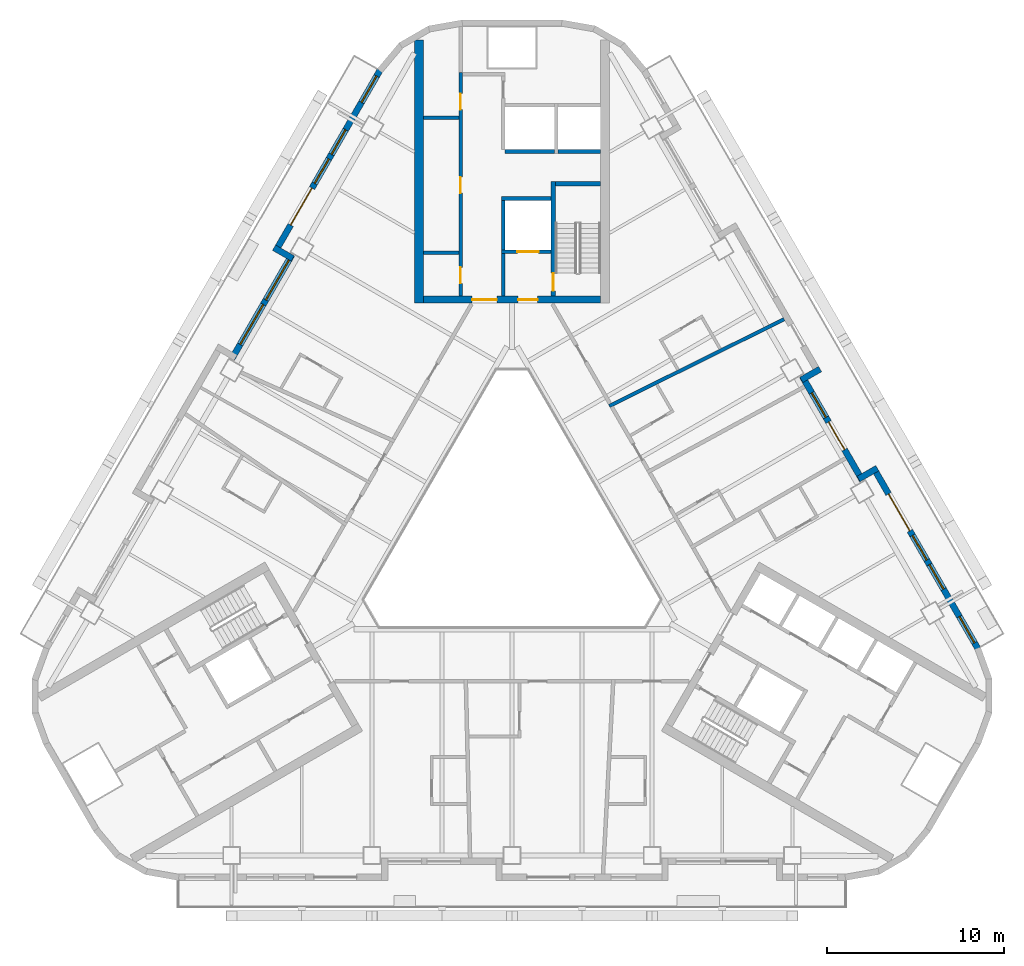
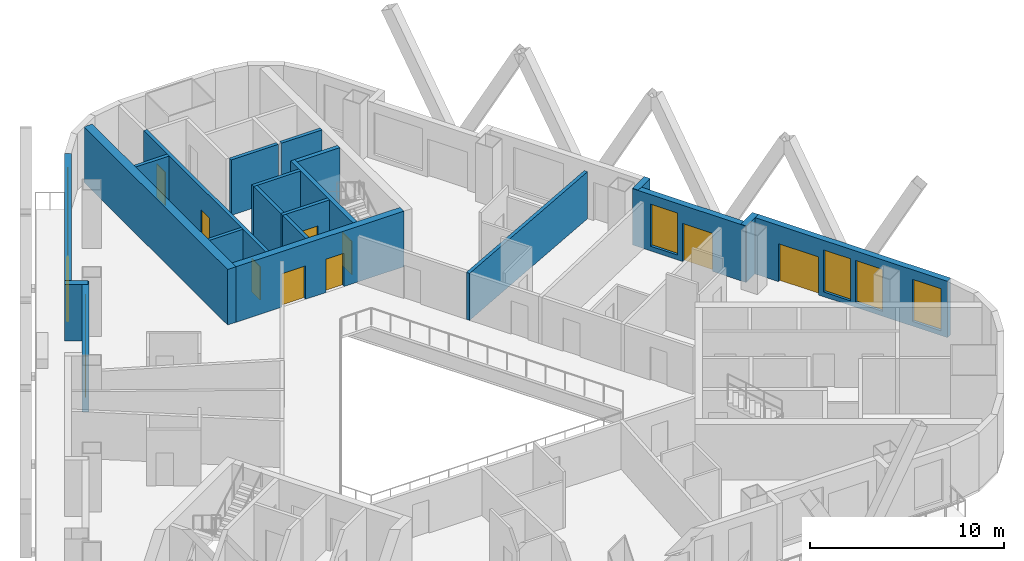
# One storey, part 6 of 13: 21 walls, 10 doors, 9 windows, 19 openings.
"""IFC4 building model written with IfcOpenShell, lengths in metres."""

from ifc_helpers import new_model, si_unit, direction, frame, frame_2d, origin, place, context, subcontext, project, spatial, rectangle, extrude, material, layer, layer_set, type_object, element, fill, save


model = new_model("IFC4")

# Units and contexts
model_context = context("Model", 3, precision=1e-05, world=origin(), true_north=direction((0.0, 1.0)))
body_context = subcontext(model_context, "Body", "Model", "MODEL_VIEW")
ifc_project = project(units=[si_unit("LENGTHUNIT", "METRE"), si_unit("AREAUNIT", "SQUARE_METRE"), si_unit("VOLUMEUNIT", "CUBIC_METRE"), si_unit("PLANEANGLEUNIT", "RADIAN"), si_unit("MASSUNIT", "GRAM", prefix="KILO")], contexts=[model_context])

# Site, building, storey
site_placement = place(None, origin())
site = spatial("IfcSite", under=ifc_project, at=site_placement, CompositionType="ELEMENT")
building_placement = place(site_placement, origin())
building = spatial("IfcBuilding", under=site, at=building_placement, Name="Apuvela Tower Hotel", CompositionType="ELEMENT")
storey_placement = place(building_placement, frame((0.0, 0.0, 83.5)))
storey = spatial("IfcBuildingStorey", under=building, at=storey_placement, Name="L18", CompositionType="ELEMENT", Elevation=83.5)

# Wall, openings, doors
ifc_material_1 = material(Name="Concrete C50/60", Category="concrete")
ifc_layer_1 = layer(ifc_material_1, 0.39990234375)
ifc_layer_set_1 = layer_set([ifc_layer_1], Name="COR-WALL-CORE-400")
wall_type_1 = type_object("IfcWallType", Name="COR-WALL-CORE-400", PredefinedType="SHEAR", material=ifc_layer_set_1)
wall_1_placement = place(storey_placement, frame((5.0, 13.10009765625, 0.0), z_axis=(0.0, 0.0, 1.0), x_axis=(-1.0, 0.0, 0.0)))
wall_1 = element("IfcWall", 1, at=wall_1_placement, inside=storey, type_object=wall_type_1, Name="Core wall N", PredefinedType="SHEAR", context=body_context, shape_type="SweptSolid", body=[
    extrude(rectangle(XDim=10.0, YDim=0.39990234375, at=frame_2d((5.0, 0.0))), origin(), (0.0, 0.0, 1.0), 3.5),
])
opening_1_placement = place(wall_1_placement, frame((3.550048828125, 0.0, 0.0)))
opening_1 = element("IfcOpeningElement", 2, at=opening_1_placement, cuts=wall_1, Name="Opening N-FD", PredefinedType="OPENING", context=body_context, shape_type="SweptSolid", body=[
    extrude(rectangle(XDim=1.10009765625, YDim=2.10009765625, at=frame_2d((0.550048828125, 1.050048828125))), frame((0.0, 0.2099609375, 0.0), z_axis=(0.0, -1.0, 0.0), x_axis=(1.0, 0.0, 0.0)), (0.0, 0.0, 1.0), 0.419921875),
])
opening_2_placement = place(wall_1_placement, frame((5.85009765625, 0.0, 0.0)))
opening_2 = element("IfcOpeningElement", 3, at=opening_2_placement, cuts=wall_1, Name="Opening N-GD", PredefinedType="OPENING", context=body_context, shape_type="SweptSolid", body=[
    extrude(rectangle(XDim=1.39990234375, YDim=2.10009765625, at=frame_2d((0.699951171875, 1.050048828125))), frame((0.0, 0.2099609375, 0.0), z_axis=(0.0, -1.0, 0.0), x_axis=(1.0, 0.0, 0.0)), (0.0, 0.0, 1.0), 0.419921875),
])
ifc_material_2 = material(Name="Steel fire door, powder coated", Category="steel")
door_type_1 = type_object("IfcDoorType", Name="COR-FD-1100", OperationType="NOTDEFINED", PredefinedType="DOOR", material=ifc_material_2)
door_1_placement = place(opening_1_placement, frame((1.10009765625, 0.0, 0.0), z_axis=(0.0, 0.0, 1.0), x_axis=(-1.0, 0.0, 0.0)))
door_1 = element("IfcDoor", 4, at=door_1_placement, inside=storey, type_object=door_type_1, Name="Firefighting lobby door N-FD", OperationType="SINGLE_SWING_LEFT", OverallHeight=2.10009765625, OverallWidth=1.10009765625, PredefinedType="DOOR", context=body_context, shape_type="SweptSolid", body=[
    extrude(rectangle(XDim=1.10009765625, YDim=2.10009765625, at=frame_2d((0.550048828125, 1.050048828125))), frame((0.0, 0.02490234375, 0.0), z_axis=(0.0, -1.0, 0.0), x_axis=(1.0, 0.0, 0.0)), (0.0, 0.0, 1.0), 0.050048828125),
])
fill(opening_1, door_1)
ifc_material_3 = material(Name="Glazed steel fire door", Category="steel")
door_type_2 = type_object("IfcDoorType", Name="COR-GD-1400", OperationType="DOUBLE_DOOR_SINGLE_SWING", PredefinedType="DOOR", material=ifc_material_3)
door_2_placement = place(opening_2_placement, frame((1.39990234375, 0.0, 0.0), z_axis=(0.0, 0.0, 1.0), x_axis=(-1.0, 0.0, 0.0)))
door_2 = element("IfcDoor", 5, at=door_2_placement, inside=storey, type_object=door_type_2, Name="Lift lobby door N-GD", OperationType="DOUBLE_DOOR_SINGLE_SWING", OverallHeight=2.10009765625, OverallWidth=1.39990234375, PredefinedType="DOOR", context=body_context, shape_type="SweptSolid", body=[
    extrude(rectangle(XDim=1.39990234375, YDim=2.10009765625, at=frame_2d((0.699951171875, 1.050048828125))), frame((0.0, 0.02490234375, 0.0), z_axis=(0.0, -1.0, 0.0), x_axis=(1.0, 0.0, 0.0)), (0.0, 0.0, 1.0), 0.050048828125),
])
fill(opening_2, door_2)

# Walls
ifc_layer_2 = layer(ifc_material_1, 0.5)
ifc_layer_set_2 = layer_set([ifc_layer_2], Name="COR-WALL-CORE-500")
wall_type_2 = type_object("IfcWallType", Name="COR-WALL-CORE-500", PredefinedType="SHEAR", material=ifc_layer_set_2)
wall_2_placement = place(storey_placement, frame((-5.25, 12.89990234375, 0.0), z_axis=(0.0, 0.0, 1.0), x_axis=(0.0, 1.0, 0.0)))
element("IfcWall", 6, at=wall_2_placement, inside=storey, type_object=wall_type_2, Name="Core wall N", PredefinedType="SHEAR", context=body_context, shape_type="SweptSolid", body=[
    extrude(rectangle(XDim=14.8369140625, YDim=0.5, at=frame_2d((7.41845703125, 0.0))), origin(), (0.0, 0.0, 1.0), 3.5),
])
ifc_material_4 = material(Name="Blockwork 200 mm plastered", Category="masonry")
ifc_layer_3 = layer(ifc_material_4, 0.199951171875)
ifc_layer_set_3 = layer_set([ifc_layer_3], Name="COR-WALL-PART-200")
wall_type_3 = type_object("IfcWallType", Name="COR-WALL-PART-200", PredefinedType="PARTITIONING", material=ifc_layer_set_3)
wall_3_placement = place(storey_placement, frame((5.0, 21.449951171875, 0.0), z_axis=(0.0, 0.0, 1.0), x_axis=(-1.0, 0.0, 0.0)))
element("IfcWall", 7, at=wall_3_placement, inside=storey, type_object=wall_type_3, Name="Partition N", PredefinedType="PARTITIONING", context=body_context, shape_type="SweptSolid", body=[
    extrude(rectangle(XDim=2.39990234375, YDim=0.199951171875, at=frame_2d((1.199951171875, 0.0))), origin(), (0.0, 0.0, 1.0), 3.5),
])
wall_4_placement = place(storey_placement, frame((2.39990234375, 21.449951171875, 0.0), z_axis=(0.0, 0.0, 1.0), x_axis=(-1.0, 0.0, 0.0)))
element("IfcWall", 8, at=wall_4_placement, inside=storey, type_object=wall_type_3, Name="Partition N", PredefinedType="PARTITIONING", context=body_context, shape_type="SweptSolid", body=[
    extrude(rectangle(XDim=2.7998046875, YDim=0.199951171875, at=frame_2d((1.39990234375, 0.0))), origin(), (0.0, 0.0, 1.0), 3.5),
])
ifc_layer_4 = layer(ifc_material_1, 0.199951171875)
ifc_layer_set_4 = layer_set([ifc_layer_4], Name="COR-WALL-SHAFT-200")
wall_type_4 = type_object("IfcWallType", Name="COR-WALL-SHAFT-200", PredefinedType="SHEAR", material=ifc_layer_set_4)
wall_5_placement = place(storey_placement, frame((2.199951171875, 18.800048828125, 0.0), z_axis=(0.0, 0.0, 1.0), x_axis=(-1.0, 0.0, 0.0)))
element("IfcWall", 9, at=wall_5_placement, inside=storey, type_object=wall_type_4, Name="Shaft wall N", PredefinedType="SHEAR", context=body_context, shape_type="SweptSolid", body=[
    extrude(rectangle(XDim=2.800048828125, YDim=0.199951171875, at=frame_2d((1.39990234375, 0.0))), origin(), (0.0, 0.0, 1.0), 3.5),
])

# Wall, opening, door
wall_6_placement = place(storey_placement, frame((2.199951171875, 15.800048828125, 0.0), z_axis=(0.0, 0.0, 1.0), x_axis=(-1.0, 0.0, 0.0)))
wall_6 = element("IfcWall", 10, at=wall_6_placement, inside=storey, type_object=wall_type_4, Name="Shaft wall N", PredefinedType="SHEAR", context=body_context, shape_type="SweptSolid", body=[
    extrude(rectangle(XDim=2.800048828125, YDim=0.199951171875, at=frame_2d((1.39990234375, 0.0))), origin(), (0.0, 0.0, 1.0), 3.5),
])
opening_3_placement = place(wall_6_placement, frame((0.699951171875, 0.0, 0.0)))
opening_3 = element("IfcOpeningElement", 11, at=opening_3_placement, cuts=wall_6, Name="Opening N-LD-FS1", PredefinedType="OPENING", context=body_context, shape_type="SweptSolid", body=[
    extrude(rectangle(XDim=1.199951171875, YDim=2.10009765625, at=frame_2d((0.60009765625, 1.050048828125))), frame((0.0, 0.10986328125, 0.0), z_axis=(0.0, -1.0, 0.0), x_axis=(1.0, 0.0, 0.0)), (0.0, 0.0, 1.0), 0.219970703125),
])
ifc_material_5 = material(Name="Stainless steel lift landing door", Category="steel")
door_type_3 = type_object("IfcDoorType", Name="COR-LD-1200", OperationType="DOUBLE_DOOR_SLIDING", PredefinedType="DOOR", material=ifc_material_5)
door_3_placement = place(opening_3_placement, origin())
door_3 = element("IfcDoor", 12, at=door_3_placement, inside=storey, type_object=door_type_3, Name="Lift landing door N-LD-FS1", OperationType="DOUBLE_DOOR_SLIDING", OverallHeight=2.10009765625, OverallWidth=1.199951171875, PredefinedType="DOOR", context=body_context, shape_type="SweptSolid", body=[
    extrude(rectangle(XDim=1.199951171875, YDim=2.10009765625, at=frame_2d((0.60009765625, 1.050048828125))), frame((0.0, 0.02490234375, 0.0), z_axis=(0.0, -1.0, 0.0), x_axis=(1.0, 0.0, 0.0)), (0.0, 0.0, 1.0), 0.050048828125),
])
fill(opening_3, door_3)

# Walls
wall_7_placement = place(storey_placement, frame((-0.5, 15.89990234375, 0.0), z_axis=(0.0, 0.0, 1.0), x_axis=(0.0, 1.0, 0.0)))
element("IfcWall", 13, at=wall_7_placement, inside=storey, type_object=wall_type_4, Name="Shaft wall N", PredefinedType="SHEAR", context=body_context, shape_type="SweptSolid", body=[
    extrude(rectangle(XDim=2.800048828125, YDim=0.199951171875, at=frame_2d((1.39990234375, 0.0))), origin(), (0.0, 0.0, 1.0), 3.5),
])
wall_8_placement = place(storey_placement, frame((-0.5, 13.300048828125, 0.0), z_axis=(0.0, 0.0, 1.0), x_axis=(0.0, 1.0, 0.0)))
element("IfcWall", 14, at=wall_8_placement, inside=storey, type_object=wall_type_4, Name="Shaft wall N", PredefinedType="SHEAR", context=body_context, shape_type="SweptSolid", body=[
    extrude(rectangle(XDim=2.39990234375, YDim=0.199951171875, at=frame_2d((1.199951171875, 0.0))), origin(), (0.0, 0.0, 1.0), 3.5),
])

# Wall, openings, doors
wall_9_placement = place(storey_placement, frame((-2.89990234375, 13.300048828125, 0.0), z_axis=(0.0, 0.0, 1.0), x_axis=(0.0, 1.0, 0.0)))
wall_9 = element("IfcWall", 15, at=wall_9_placement, inside=storey, type_object=wall_type_4, Name="Shaft wall N", PredefinedType="SHEAR", context=body_context, shape_type="SweptSolid", body=[
    extrude(rectangle(XDim=12.599853515625, YDim=0.199951171875, at=frame_2d((6.2998046875, 0.0))), origin(), (0.0, 0.0, 1.0), 3.5),
])
opening_4_placement = place(wall_9_placement, frame((0.719970703125, 0.0, 0.0)))
opening_4 = element("IfcOpeningElement", 16, at=opening_4_placement, cuts=wall_9, Name="Opening N-RE1", PredefinedType="OPENING", context=body_context, shape_type="SweptSolid", body=[
    extrude(rectangle(XDim=0.89990234375, YDim=2.10009765625, at=frame_2d((0.449951171875, 1.050048828125))), frame((0.0, 0.10986328125, 0.0), z_axis=(0.0, -1.0, 0.0), x_axis=(1.0, 0.0, 0.0)), (0.0, 0.0, 1.0), 0.219970703125),
])
opening_5_placement = place(wall_9_placement, frame((5.800048828125, 0.0, 0.0)))
opening_5 = element("IfcOpeningElement", 17, at=opening_5_placement, cuts=wall_9, Name="Opening N-RE2", PredefinedType="OPENING", context=body_context, shape_type="SweptSolid", body=[
    extrude(rectangle(XDim=0.89990234375, YDim=2.10009765625, at=frame_2d((0.449951171875, 1.050048828125))), frame((0.0, 0.10986328125, 0.0), z_axis=(0.0, -1.0, 0.0), x_axis=(1.0, 0.0, 0.0)), (0.0, 0.0, 1.0), 0.219970703125),
])
opening_6_placement = place(wall_9_placement, frame((10.510009765625, 0.0, 0.0)))
opening_6 = element("IfcOpeningElement", 18, at=opening_6_placement, cuts=wall_9, Name="Opening N-REP", PredefinedType="OPENING", context=body_context, shape_type="SweptSolid", body=[
    extrude(rectangle(XDim=0.89990234375, YDim=2.10009765625, at=frame_2d((0.449951171875, 1.050048828125))), frame((0.0, 0.10986328125, 0.0), z_axis=(0.0, -1.0, 0.0), x_axis=(1.0, 0.0, 0.0)), (0.0, 0.0, 1.0), 0.219970703125),
])
door_type_4 = type_object("IfcDoorType", Name="COR-DR-900", OperationType="NOTDEFINED", PredefinedType="DOOR", material=ifc_material_2)
door_4_placement = place(opening_4_placement, origin())
door_4 = element("IfcDoor", 19, at=door_4_placement, inside=storey, type_object=door_type_4, Name="Store door N-RE1", OperationType="SINGLE_SWING_LEFT", OverallHeight=2.10009765625, OverallWidth=0.89990234375, PredefinedType="DOOR", context=body_context, shape_type="SweptSolid", body=[
    extrude(rectangle(XDim=0.89990234375, YDim=2.10009765625, at=frame_2d((0.449951171875, 1.050048828125))), frame((0.0, 0.02490234375, 0.0), z_axis=(0.0, -1.0, 0.0), x_axis=(1.0, 0.0, 0.0)), (0.0, 0.0, 1.0), 0.050048828125),
])
fill(opening_4, door_4)
door_5_placement = place(opening_5_placement, origin())
door_5 = element("IfcDoor", 20, at=door_5_placement, inside=storey, type_object=door_type_4, Name="Store door N-RE2", OperationType="SINGLE_SWING_RIGHT", OverallHeight=2.10009765625, OverallWidth=0.89990234375, PredefinedType="DOOR", context=body_context, shape_type="SweptSolid", body=[
    extrude(rectangle(XDim=0.89990234375, YDim=2.10009765625, at=frame_2d((0.449951171875, 1.050048828125))), frame((0.0, 0.02490234375, 0.0), z_axis=(0.0, -1.0, 0.0), x_axis=(1.0, 0.0, 0.0)), (0.0, 0.0, 1.0), 0.050048828125),
])
fill(opening_5, door_5)
door_6_placement = place(opening_6_placement, origin())
door_6 = element("IfcDoor", 21, at=door_6_placement, inside=storey, type_object=door_type_4, Name="Store door N-REP", OperationType="SINGLE_SWING_RIGHT", OverallHeight=2.10009765625, OverallWidth=0.89990234375, PredefinedType="DOOR", context=body_context, shape_type="SweptSolid", body=[
    extrude(rectangle(XDim=0.89990234375, YDim=2.10009765625, at=frame_2d((0.449951171875, 1.050048828125))), frame((0.0, 0.02490234375, 0.0), z_axis=(0.0, -1.0, 0.0), x_axis=(1.0, 0.0, 0.0)), (0.0, 0.0, 1.0), 0.050048828125),
])
fill(opening_6, door_6)

# Walls
for number, where, z_axis, x_axis, name in (
    (22, (-3.0, 15.739990234375, 0.0), (0.0, 0.0, 1.0), (-1.0, 0.0, 0.0), "Shaft wall N"),
    (23, (-3.0, 23.360107421875, 0.0), (0.0, 0.0, 1.0), (-1.0, 0.0, 0.0), "Shaft wall N"),
):
    element("IfcWall", number, at=place(storey_placement, frame(where, z_axis=z_axis, x_axis=x_axis)), inside=storey, type_object=wall_type_4, Name=name, PredefinedType="SHEAR", context=body_context, shape_type="SweptSolid", body=[
        extrude(rectangle(XDim=2.0, YDim=0.199951171875, at=frame_2d((1.0, 0.0))), origin(), (0.0, 0.0, 1.0), 3.5),
    ])

# Wall, opening, door
ifc_layer_5 = layer(ifc_material_1, 0.25)
ifc_layer_set_5 = layer_set([ifc_layer_5], Name="COR-WALL-STAIR-250")
wall_type_5 = type_object("IfcWallType", Name="COR-WALL-STAIR-250", PredefinedType="SHEAR", material=ifc_layer_set_5)
wall_10_placement = place(storey_placement, frame((2.324951171875, 13.300048828125, 0.0), z_axis=(0.0, 0.0, 1.0), x_axis=(0.0, 1.0, 0.0)))
wall_10 = element("IfcWall", 24, at=wall_10_placement, inside=storey, type_object=wall_type_5, Name="Stair wall N", PredefinedType="SHEAR", context=body_context, shape_type="SweptSolid", body=[
    extrude(rectangle(XDim=6.449951171875, YDim=0.25, at=frame_2d((3.22509765625, 0.0))), origin(), (0.0, 0.0, 1.0), 3.5),
])
opening_7_placement = place(wall_10_placement, frame((0.300048828125, 0.0, 0.0)))
opening_7 = element("IfcOpeningElement", 25, at=opening_7_placement, cuts=wall_10, Name="Opening N-SD", PredefinedType="OPENING", context=body_context, shape_type="SweptSolid", body=[
    extrude(rectangle(XDim=1.0, YDim=2.10009765625, at=frame_2d((0.5, 1.050048828125))), frame((0.0, 0.135009765625, 0.0), z_axis=(0.0, -1.0, 0.0), x_axis=(1.0, 0.0, 0.0)), (0.0, 0.0, 1.0), 0.27001953125),
])
door_type_5 = type_object("IfcDoorType", Name="COR-SD-1000", OperationType="NOTDEFINED", PredefinedType="DOOR", material=ifc_material_2)
door_7_placement = place(opening_7_placement, frame((1.0, 0.0, 0.0), z_axis=(0.0, 0.0, 1.0), x_axis=(-1.0, 0.0, 0.0)))
door_7 = element("IfcDoor", 26, at=door_7_placement, inside=storey, type_object=door_type_5, Name="Stair door N-SD", OperationType="SINGLE_SWING_LEFT", OverallHeight=2.10009765625, OverallWidth=1.0, PredefinedType="DOOR", context=body_context, shape_type="SweptSolid", body=[
    extrude(rectangle(XDim=1.0, YDim=2.10009765625, at=frame_2d((0.5, 1.050048828125))), frame((0.0, 0.02490234375, 0.0), z_axis=(0.0, -1.0, 0.0), x_axis=(1.0, 0.0, 0.0)), (0.0, 0.0, 1.0), 0.050048828125),
])
fill(opening_7, door_7)

# Wall
wall_11_placement = place(storey_placement, frame((5.0, 19.625, 0.0), z_axis=(0.0, 0.0, 1.0), x_axis=(-1.0, 0.0, 0.0)))
element("IfcWall", 27, at=wall_11_placement, inside=storey, type_object=wall_type_5, Name="Stair wall N", PredefinedType="SHEAR", context=body_context, shape_type="SweptSolid", body=[
    extrude(rectangle(XDim=2.550048828125, YDim=0.25, at=frame_2d((1.27490234375, 0.0))), origin(), (0.0, 0.0, 1.0), 3.5),
])

# Wall, openings, door, windows
ifc_material_6 = material(Name="Concrete C40/50, dark pigmented precast panel", Category="concrete")
ifc_layer_6 = layer(ifc_material_6, 0.35009765625)
ifc_layer_set_6 = layer_set([ifc_layer_6], Name="ENV-WALL-350")
wall_type_6 = type_object("IfcWallType", Name="ENV-WALL-350", PredefinedType="SOLIDWALL", material=ifc_layer_set_6)
wall_12_placement = place(storey_placement, frame((-7.440673828125, 26.0224609375, 0.0), z_axis=(0.0, 0.0, 1.0), x_axis=(-0.499992533062, -0.86602971478, 0.0)))
wall_12 = element("IfcWall", 28, at=wall_12_placement, inside=storey, type_object=wall_type_6, Name="External wall L18-01", PredefinedType="SOLIDWALL", context=body_context, shape_type="SweptSolid", body=[
    extrude(rectangle(XDim=11.815673828125, YDim=0.35009765625, at=frame_2d((5.90771484375, 0.0))), origin(), (0.0, 0.0, 1.0), 3.550048828125),
])
opening_8_placement = place(wall_12_placement, frame((0.381103515625, 0.0, 0.300048828125)))
opening_8 = element("IfcOpeningElement", 29, at=opening_8_placement, cuts=wall_12, Name="Opening WN17", PredefinedType="OPENING", context=body_context, shape_type="SweptSolid", body=[
    extrude(rectangle(XDim=1.699951171875, YDim=2.64990234375, at=frame_2d((0.85009765625, 1.324951171875))), frame((0.0, 0.18505859375, 0.0), z_axis=(0.0, -1.0, 0.0), x_axis=(1.0, 0.0, 0.0)), (0.0, 0.0, 1.0), 0.3701171875),
])
opening_9_placement = place(wall_12_placement, frame((7.66552734375, 0.0, 0.0)))
opening_9 = element("IfcOpeningElement", 30, at=opening_9_placement, cuts=wall_12, Name="Opening BD24", PredefinedType="OPENING", context=body_context, shape_type="SweptSolid", body=[
    extrude(rectangle(XDim=2.39990234375, YDim=2.39990234375, at=frame_2d((1.199951171875, 1.199951171875))), frame((0.0, 0.18505859375, 0.0), z_axis=(0.0, -1.0, 0.0), x_axis=(1.0, 0.0, 0.0)), (0.0, 0.0, 1.0), 0.3701171875),
])
opening_10_placement = place(wall_12_placement, frame((3.865478515625, 0.0, 0.300048828125)))
opening_10 = element("IfcOpeningElement", 31, at=opening_10_placement, cuts=wall_12, Name="Opening WN16", PredefinedType="OPENING", context=body_context, shape_type="SweptSolid", body=[
    extrude(rectangle(XDim=1.60009765625, YDim=2.64990234375, at=frame_2d((0.800048828125, 1.324951171875))), frame((0.0, 0.18505859375, 0.0), z_axis=(0.0, -1.0, 0.0), x_axis=(1.0, 0.0, 0.0)), (0.0, 0.0, 1.0), 0.3701171875),
])
opening_11_placement = place(wall_12_placement, frame((5.765380859375, 0.0, 0.300048828125)))
opening_11 = element("IfcOpeningElement", 32, at=opening_11_placement, cuts=wall_12, Name="Opening WN16", PredefinedType="OPENING", context=body_context, shape_type="SweptSolid", body=[
    extrude(rectangle(XDim=1.60009765625, YDim=2.64990234375, at=frame_2d((0.800048828125, 1.324951171875))), frame((0.0, 0.18505859375, 0.0), z_axis=(0.0, -1.0, 0.0), x_axis=(1.0, 0.0, 0.0)), (0.0, 0.0, 1.0), 0.3701171875),
])
ifc_material_7 = material(Name="Aluminium 6063-T6, dark bronze anodised frame with dark tinted laminated glass", Category="aluminium")
door_type_6 = type_object("IfcDoorType", Name="ENV-DOOR-BALCONY-2400x2400", OperationType="SLIDING_TO_LEFT", PredefinedType="DOOR", material=ifc_material_7)
door_8_placement = place(opening_9_placement, frame((2.39990234375, 0.0, 0.0), z_axis=(0.0, 0.0, 1.0), x_axis=(-1.0, 0.0, 0.0)))
door_8 = element("IfcDoor", 33, at=door_8_placement, inside=storey, type_object=door_type_6, Name="Balcony door BD24", OperationType="SLIDING_TO_LEFT", OverallHeight=2.39990234375, OverallWidth=2.39990234375, PredefinedType="DOOR", context=body_context, shape_type="SweptSolid", body=[
    extrude(rectangle(XDim=2.39990234375, YDim=2.39990234375, at=frame_2d((1.199951171875, 1.199951171875))), frame((0.0, 0.02490234375, 0.0), z_axis=(0.0, -1.0, 0.0), x_axis=(1.0, 0.0, 0.0)), (0.0, 0.0, 1.0), 0.050048828125),
])
fill(opening_9, door_8)
ifc_material_8 = material(Name="Glass, dark tinted laminated insulated glazing unit", Category="glass")
window_type_1 = type_object("IfcWindowType", Name="ENV-WIN-1600x2650", PartitioningType="SINGLE_PANEL", PredefinedType="WINDOW", material=ifc_material_8)
window_1_placement = place(opening_10_placement, origin())
window_1 = element("IfcWindow", 34, at=window_1_placement, inside=storey, type_object=window_type_1, Name="Window WN16", OverallHeight=2.64990234375, OverallWidth=1.60009765625, PartitioningType="SINGLE_PANEL", PredefinedType="WINDOW", context=body_context, shape_type="SweptSolid", body=[
    extrude(rectangle(XDim=1.60009765625, YDim=2.64990234375, at=frame_2d((0.800048828125, 1.324951171875))), frame((0.0, 0.030029296875, 0.0), z_axis=(0.0, -1.0, 0.0), x_axis=(1.0, 0.0, 0.0)), (0.0, 0.0, 1.0), 0.06005859375),
])
fill(opening_10, window_1)
window_2_placement = place(opening_11_placement, origin())
window_2 = element("IfcWindow", 35, at=window_2_placement, inside=storey, type_object=window_type_1, Name="Window WN16", OverallHeight=2.64990234375, OverallWidth=1.60009765625, PartitioningType="SINGLE_PANEL", PredefinedType="WINDOW", context=body_context, shape_type="SweptSolid", body=[
    extrude(rectangle(XDim=1.60009765625, YDim=2.64990234375, at=frame_2d((0.800048828125, 1.324951171875))), frame((0.0, 0.030029296875, 0.0), z_axis=(0.0, -1.0, 0.0), x_axis=(1.0, 0.0, 0.0)), (0.0, 0.0, 1.0), 0.06005859375),
])
fill(opening_11, window_2)
window_type_2 = type_object("IfcWindowType", Name="ENV-WIN-1700x2650", PartitioningType="SINGLE_PANEL", PredefinedType="WINDOW", material=ifc_material_8)
window_3_placement = place(opening_8_placement, origin())
window_3 = element("IfcWindow", 36, at=window_3_placement, inside=storey, type_object=window_type_2, Name="Window WN17", OverallHeight=2.64990234375, OverallWidth=1.699951171875, PartitioningType="SINGLE_PANEL", PredefinedType="WINDOW", context=body_context, shape_type="SweptSolid", body=[
    extrude(rectangle(XDim=1.699951171875, YDim=2.64990234375, at=frame_2d((0.85009765625, 1.324951171875))), frame((0.0, 0.030029296875, 0.0), z_axis=(0.0, -1.0, 0.0), x_axis=(1.0, 0.0, 0.0)), (0.0, 0.0, 1.0), 0.06005859375),
])
fill(opening_8, window_3)

# Wall
wall_13_placement = place(storey_placement, frame((-13.41259765625, 16.02880859375, 0.0), z_axis=(0.0, 0.0, 1.0), x_axis=(0.866005645448, -0.500034220881, 0.0)))
element("IfcWall", 37, at=wall_13_placement, inside=storey, type_object=wall_type_6, Name="External wall L18-02", PredefinedType="SOLIDWALL", context=body_context, shape_type="SweptSolid", body=[
    extrude(rectangle(XDim=1.22021484375, YDim=0.35009765625, at=frame_2d((0.610107421875, 0.0))), origin(), (0.0, 0.0, 1.0), 3.550048828125),
])

# Wall, openings, windows
wall_14_placement = place(storey_placement, frame((-12.408935546875, 15.616943359375, 0.0), z_axis=(0.0, 0.0, 1.0), x_axis=(-0.500003597184, -0.866023326939, 0.0)))
wall_14 = element("IfcWall", 38, at=wall_14_placement, inside=storey, type_object=wall_type_6, Name="External wall L18-03", PredefinedType="SOLIDWALL", context=body_context, shape_type="SweptSolid", body=[
    extrude(rectangle(XDim=6.740234375, YDim=0.35009765625, at=frame_2d((3.3701171875, 0.0))), origin(), (0.0, 0.0, 1.0), 3.550048828125),
])
opening_12_placement = place(wall_14_placement, frame((0.3203125, 0.0, 0.300048828125)))
opening_12 = element("IfcOpeningElement", 39, at=opening_12_placement, cuts=wall_14, Name="Opening WN26", PredefinedType="OPENING", context=body_context, shape_type="SweptSolid", body=[
    extrude(rectangle(XDim=2.60009765625, YDim=2.64990234375, at=frame_2d((1.300048828125, 1.324951171875))), frame((0.0, 0.18505859375, 0.0), z_axis=(0.0, -1.0, 0.0), x_axis=(1.0, 0.0, 0.0)), (0.0, 0.0, 1.0), 0.3701171875),
])
opening_13_placement = place(wall_14_placement, frame((3.22021484375, 0.0, 0.300048828125)))
opening_13 = element("IfcOpeningElement", 40, at=opening_13_placement, cuts=wall_14, Name="Opening WN26", PredefinedType="OPENING", context=body_context, shape_type="SweptSolid", body=[
    extrude(rectangle(XDim=2.60009765625, YDim=2.64990234375, at=frame_2d((1.300048828125, 1.324951171875))), frame((0.0, 0.18505859375, 0.0), z_axis=(0.0, -1.0, 0.0), x_axis=(1.0, 0.0, 0.0)), (0.0, 0.0, 1.0), 0.3701171875),
])
window_type_3 = type_object("IfcWindowType", Name="ENV-WIN-2600x2650", PartitioningType="SINGLE_PANEL", PredefinedType="WINDOW", material=ifc_material_8)
window_4_placement = place(opening_12_placement, origin())
window_4 = element("IfcWindow", 41, at=window_4_placement, inside=storey, type_object=window_type_3, Name="Window WN26", OverallHeight=2.64990234375, OverallWidth=2.60009765625, PartitioningType="SINGLE_PANEL", PredefinedType="WINDOW", context=body_context, shape_type="SweptSolid", body=[
    extrude(rectangle(XDim=2.60009765625, YDim=2.64990234375, at=frame_2d((1.300048828125, 1.324951171875))), frame((0.0, 0.030029296875, 0.0), z_axis=(0.0, -1.0, 0.0), x_axis=(1.0, 0.0, 0.0)), (0.0, 0.0, 1.0), 0.06005859375),
])
fill(opening_12, window_4)
window_5_placement = place(opening_13_placement, origin())
window_5 = element("IfcWindow", 42, at=window_5_placement, inside=storey, type_object=window_type_3, Name="Window WN26", OverallHeight=2.64990234375, OverallWidth=2.60009765625, PartitioningType="SINGLE_PANEL", PredefinedType="WINDOW", context=body_context, shape_type="SweptSolid", body=[
    extrude(rectangle(XDim=2.60009765625, YDim=2.64990234375, at=frame_2d((1.300048828125, 1.324951171875))), frame((0.0, 0.030029296875, 0.0), z_axis=(0.0, -1.0, 0.0), x_axis=(1.0, 0.0, 0.0)), (0.0, 0.0, 1.0), 0.06005859375),
])
fill(opening_13, window_5)

# Wall, openings, door, windows
wall_15_placement = place(storey_placement, frame((26.256591796875, -6.5673828125, 0.0), z_axis=(0.0, 0.0, 1.0), x_axis=(-0.500023526245, 0.866011820475, 0.0)))
wall_15 = element("IfcWall", 43, at=wall_15_placement, inside=storey, type_object=wall_type_6, Name="External wall L18-33", PredefinedType="SOLIDWALL", context=body_context, shape_type="SweptSolid", body=[
    extrude(rectangle(XDim=11.81591796875, YDim=0.35009765625, at=frame_2d((5.907958984375, 0.0))), origin(), (0.0, 0.0, 1.0), 3.550048828125),
])
opening_14_placement = place(wall_15_placement, frame((0.380126953125, 0.0, 0.300048828125)))
opening_14 = element("IfcOpeningElement", 44, at=opening_14_placement, cuts=wall_15, Name="Opening WN17", PredefinedType="OPENING", context=body_context, shape_type="SweptSolid", body=[
    extrude(rectangle(XDim=1.699951171875, YDim=2.64990234375, at=frame_2d((0.85009765625, 1.324951171875))), frame((0.0, 0.18505859375, 0.0), z_axis=(0.0, -1.0, 0.0), x_axis=(1.0, 0.0, 0.0)), (0.0, 0.0, 1.0), 0.3701171875),
])
opening_15_placement = place(wall_15_placement, frame((7.666015625, 0.0, 0.0)))
opening_15 = element("IfcOpeningElement", 45, at=opening_15_placement, cuts=wall_15, Name="Opening BD24", PredefinedType="OPENING", context=body_context, shape_type="SweptSolid", body=[
    extrude(rectangle(XDim=2.39990234375, YDim=2.39990234375, at=frame_2d((1.199951171875, 1.199951171875))), frame((0.0, 0.18505859375, 0.0), z_axis=(0.0, -1.0, 0.0), x_axis=(1.0, 0.0, 0.0)), (0.0, 0.0, 1.0), 0.3701171875),
])
opening_16_placement = place(wall_15_placement, frame((3.865234375, 0.0, 0.300048828125)))
opening_16 = element("IfcOpeningElement", 46, at=opening_16_placement, cuts=wall_15, Name="Opening WN16", PredefinedType="OPENING", context=body_context, shape_type="SweptSolid", body=[
    extrude(rectangle(XDim=1.60009765625, YDim=2.64990234375, at=frame_2d((0.800048828125, 1.324951171875))), frame((0.0, 0.18505859375, 0.0), z_axis=(0.0, -1.0, 0.0), x_axis=(1.0, 0.0, 0.0)), (0.0, 0.0, 1.0), 0.3701171875),
])
opening_17_placement = place(wall_15_placement, frame((5.765380859375, 0.0, 0.300048828125)))
opening_17 = element("IfcOpeningElement", 47, at=opening_17_placement, cuts=wall_15, Name="Opening WN16", PredefinedType="OPENING", context=body_context, shape_type="SweptSolid", body=[
    extrude(rectangle(XDim=1.60009765625, YDim=2.64990234375, at=frame_2d((0.800048828125, 1.324951171875))), frame((0.0, 0.18505859375, 0.0), z_axis=(0.0, -1.0, 0.0), x_axis=(1.0, 0.0, 0.0)), (0.0, 0.0, 1.0), 0.3701171875),
])
door_9_placement = place(opening_15_placement, frame((2.39990234375, 0.0, 0.0), z_axis=(0.0, 0.0, 1.0), x_axis=(-1.0, 0.0, 0.0)))
door_9 = element("IfcDoor", 48, at=door_9_placement, inside=storey, type_object=door_type_6, Name="Balcony door BD24", OperationType="SLIDING_TO_LEFT", OverallHeight=2.39990234375, OverallWidth=2.39990234375, PredefinedType="DOOR", context=body_context, shape_type="SweptSolid", body=[
    extrude(rectangle(XDim=2.39990234375, YDim=2.39990234375, at=frame_2d((1.199951171875, 1.199951171875))), frame((0.0, 0.02490234375, 0.0), z_axis=(0.0, -1.0, 0.0), x_axis=(1.0, 0.0, 0.0)), (0.0, 0.0, 1.0), 0.050048828125),
])
fill(opening_15, door_9)
window_6_placement = place(opening_16_placement, origin())
window_6 = element("IfcWindow", 49, at=window_6_placement, inside=storey, type_object=window_type_1, Name="Window WN16", OverallHeight=2.64990234375, OverallWidth=1.60009765625, PartitioningType="SINGLE_PANEL", PredefinedType="WINDOW", context=body_context, shape_type="SweptSolid", body=[
    extrude(rectangle(XDim=1.60009765625, YDim=2.64990234375, at=frame_2d((0.800048828125, 1.324951171875))), frame((0.0, 0.030029296875, 0.0), z_axis=(0.0, -1.0, 0.0), x_axis=(1.0, 0.0, 0.0)), (0.0, 0.0, 1.0), 0.06005859375),
])
fill(opening_16, window_6)
window_7_placement = place(opening_17_placement, origin())
window_7 = element("IfcWindow", 50, at=window_7_placement, inside=storey, type_object=window_type_1, Name="Window WN16", OverallHeight=2.64990234375, OverallWidth=1.60009765625, PartitioningType="SINGLE_PANEL", PredefinedType="WINDOW", context=body_context, shape_type="SweptSolid", body=[
    extrude(rectangle(XDim=1.60009765625, YDim=2.64990234375, at=frame_2d((0.800048828125, 1.324951171875))), frame((0.0, 0.030029296875, 0.0), z_axis=(0.0, -1.0, 0.0), x_axis=(1.0, 0.0, 0.0)), (0.0, 0.0, 1.0), 0.06005859375),
])
fill(opening_17, window_7)
window_8_placement = place(opening_14_placement, origin())
window_8 = element("IfcWindow", 51, at=window_8_placement, inside=storey, type_object=window_type_2, Name="Window WN17", OverallHeight=2.64990234375, OverallWidth=1.699951171875, PartitioningType="SINGLE_PANEL", PredefinedType="WINDOW", context=body_context, shape_type="SweptSolid", body=[
    extrude(rectangle(XDim=1.699951171875, YDim=2.64990234375, at=frame_2d((0.85009765625, 1.324951171875))), frame((0.0, 0.030029296875, 0.0), z_axis=(0.0, -1.0, 0.0), x_axis=(1.0, 0.0, 0.0)), (0.0, 0.0, 1.0), 0.06005859375),
])
fill(opening_14, window_8)

# Wall
wall_16_placement = place(storey_placement, frame((20.587646484375, 3.601318359375, 0.0), z_axis=(0.0, 0.0, 1.0), x_axis=(-0.866005645448, -0.500034220881, 0.0)))
element("IfcWall", 52, at=wall_16_placement, inside=storey, type_object=wall_type_6, Name="External wall L18-34", PredefinedType="SOLIDWALL", context=body_context, shape_type="SweptSolid", body=[
    extrude(rectangle(XDim=1.22021484375, YDim=0.35009765625, at=frame_2d((0.610107421875, 0.0))), origin(), (0.0, 0.0, 1.0), 3.550048828125),
])

# Wall, openings, door, window
wall_17_placement = place(storey_placement, frame((19.72900390625, 2.93798828125, 0.0), z_axis=(0.0, 0.0, 1.0), x_axis=(-0.499976430342, 0.866039011305, 0.0)))
wall_17 = element("IfcWall", 53, at=wall_17_placement, inside=storey, type_object=wall_type_6, Name="External wall L18-35", PredefinedType="SOLIDWALL", context=body_context, shape_type="SweptSolid", body=[
    extrude(rectangle(XDim=6.739990234375, YDim=0.35009765625, at=frame_2d((3.3701171875, 0.0))), origin(), (0.0, 0.0, 1.0), 3.550048828125),
])
opening_18_placement = place(wall_17_placement, frame((1.97021484375, 0.0, 0.0)))
opening_18 = element("IfcOpeningElement", 54, at=opening_18_placement, cuts=wall_17, Name="Opening BD18", PredefinedType="OPENING", context=body_context, shape_type="SweptSolid", body=[
    extrude(rectangle(XDim=1.800048828125, YDim=2.39990234375, at=frame_2d((0.89990234375, 1.199951171875))), frame((0.0, 0.18505859375, 0.0), z_axis=(0.0, -1.0, 0.0), x_axis=(1.0, 0.0, 0.0)), (0.0, 0.0, 1.0), 0.3701171875),
])
opening_19_placement = place(wall_17_placement, frame((4.0703125, 0.0, 0.300048828125)))
opening_19 = element("IfcOpeningElement", 55, at=opening_19_placement, cuts=wall_17, Name="Opening WN16", PredefinedType="OPENING", context=body_context, shape_type="SweptSolid", body=[
    extrude(rectangle(XDim=1.60009765625, YDim=2.64990234375, at=frame_2d((0.800048828125, 1.324951171875))), frame((0.0, 0.18505859375, 0.0), z_axis=(0.0, -1.0, 0.0), x_axis=(1.0, 0.0, 0.0)), (0.0, 0.0, 1.0), 0.3701171875),
])
door_type_7 = type_object("IfcDoorType", Name="ENV-DOOR-BALCONY-1800x2400", OperationType="SLIDING_TO_LEFT", PredefinedType="DOOR", material=ifc_material_7)
door_10_placement = place(opening_18_placement, frame((1.800048828125, 0.0, 0.0), z_axis=(0.0, 0.0, 1.0), x_axis=(-1.0, 0.0, 0.0)))
door_10 = element("IfcDoor", 56, at=door_10_placement, inside=storey, type_object=door_type_7, Name="Balcony door BD18", OperationType="SLIDING_TO_LEFT", OverallHeight=2.39990234375, OverallWidth=1.800048828125, PredefinedType="DOOR", context=body_context, shape_type="SweptSolid", body=[
    extrude(rectangle(XDim=1.800048828125, YDim=2.39990234375, at=frame_2d((0.89990234375, 1.199951171875))), frame((0.0, 0.02490234375, 0.0), z_axis=(0.0, -1.0, 0.0), x_axis=(1.0, 0.0, 0.0)), (0.0, 0.0, 1.0), 0.050048828125),
])
fill(opening_18, door_10)
window_9_placement = place(opening_19_placement, origin())
window_9 = element("IfcWindow", 57, at=window_9_placement, inside=storey, type_object=window_type_1, Name="Window WN16", OverallHeight=2.64990234375, OverallWidth=1.60009765625, PartitioningType="SINGLE_PANEL", PredefinedType="WINDOW", context=body_context, shape_type="SweptSolid", body=[
    extrude(rectangle(XDim=1.60009765625, YDim=2.64990234375, at=frame_2d((0.800048828125, 1.324951171875))), frame((0.0, 0.030029296875, 0.0), z_axis=(0.0, -1.0, 0.0), x_axis=(1.0, 0.0, 0.0)), (0.0, 0.0, 1.0), 0.06005859375),
])
fill(opening_19, window_9)

# Walls
wall_18_placement = place(storey_placement, frame((16.305908203125, 8.5771484375, 0.0), z_axis=(0.0, 0.0, 1.0), x_axis=(0.866092288191, 0.499884134912, 0.0)))
element("IfcWall", 58, at=wall_18_placement, inside=storey, type_object=wall_type_6, Name="External wall L18-36", PredefinedType="SOLIDWALL", context=body_context, shape_type="SweptSolid", body=[
    extrude(rectangle(XDim=1.219970703125, YDim=0.35009765625, at=frame_2d((0.60986328125, 0.0))), origin(), (0.0, 0.0, 1.0), 3.550048828125),
])
ifc_material_9 = material(Name="Gypsum board partition on twin steel stud", Category="steel")
ifc_layer_7 = layer(ifc_material_9, 0.199951171875)
ifc_layer_set_7 = layer_set([ifc_layer_7], Name="GST-PW1")
wall_type_7 = type_object("IfcWallType", Name="GST-PW1", PredefinedType="PARTITIONING", material=ifc_layer_set_7)
wall_19_placement = place(storey_placement, frame((15.3369140625, 11.99560546875, 0.0), z_axis=(0.0, 0.0, 1.0), x_axis=(-0.895785569399, -0.4444864606, 0.0)))
element("IfcWall", 59, at=wall_19_placement, inside=storey, type_object=wall_type_7, Name="L18 partition 05", PredefinedType="PARTITIONING", context=body_context, shape_type="SweptSolid", body=[
    extrude(rectangle(XDim=11.001708984375, YDim=0.199951171875, at=frame_2d((5.5009765625, 0.0))), origin(), (0.0, 0.0, 1.0), 2.9599609375),
])

save(model, "model.ifc")
